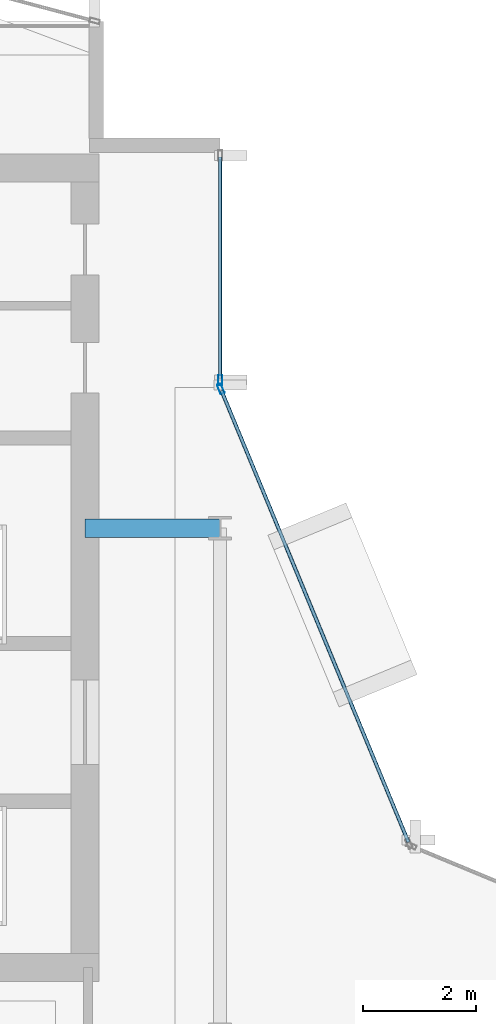
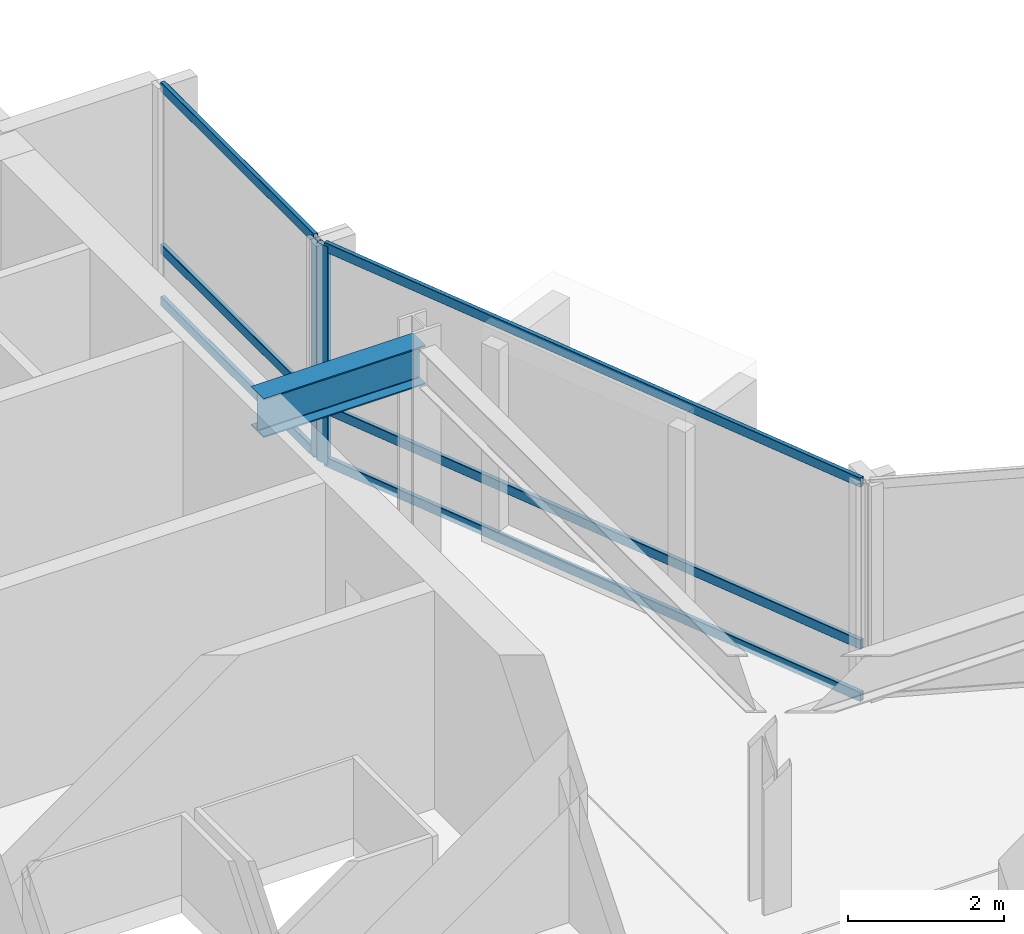
# One storey, part 17 of 27: 8 members, 1 beam, 2 elements without a shape of their own.
"""IFC4 building model written with IfcOpenShell, lengths in metres."""

from ifc_helpers import new_model, si_unit, direction, frame, origin, origin_2d, place, context, subcontext, project, spatial, hollow_rectangle, i_section, extrude, material, layer, layer_set, material_profile, profile_set, type_object, element, aggregate, save


model = new_model("IFC4")

# Units and contexts
model_context = context("Model", 3, precision=1e-05, world=origin(), true_north=direction((0.0, 1.0)))
body_context = subcontext(model_context, "Body", "Model", "MODEL_VIEW")
ifc_project = project(units=[si_unit("LENGTHUNIT", "METRE"), si_unit("AREAUNIT", "SQUARE_METRE"), si_unit("VOLUMEUNIT", "CUBIC_METRE"), si_unit("PLANEANGLEUNIT", "RADIAN"), si_unit("MASSUNIT", "GRAM", prefix="KILO")], contexts=[model_context])

# Site, building, storey
site_placement = place(None, origin())
site = spatial("IfcSite", under=ifc_project, at=site_placement, CompositionType="ELEMENT")
building_placement = place(site_placement, origin())
building = spatial("IfcBuilding", under=site, at=building_placement, Name="Solvaryn Broadcast Tower", CompositionType="ELEMENT")
storey_placement = place(building_placement, frame((0.0, 0.0, 189.0)))
storey = spatial("IfcBuildingStorey", under=building, at=storey_placement, Name="L47", CompositionType="ELEMENT", Elevation=189.0)

# Beam
ifc_material_1 = material(Name="Steel ASTM A992 Grade 50", Category="steel")
ifc_material_profile_1 = material_profile(ifc_material_1, i_section(OverallWidth=0.323974609375, OverallDepth=0.611083984375, WebThickness=0.0126953125, FlangeThickness=0.01904296875, FilletRadius=0.014892578125, at=origin_2d()))
ifc_profile_set_1 = profile_set([ifc_material_profile_1], Name="Steel ASTM A992 Grade 50")
beam_type = type_object("IfcBeamType", Name="BM-B1-W24X104", PredefinedType="BEAM", material=ifc_profile_set_1)
beam_placement = place(storey_placement, frame((24.60009765625, 36.0, 3.114501953125), z_axis=(1.0, 0.0, 0.0), x_axis=(0.0, 1.0, 0.0)))
element("IfcBeam", 1, at=beam_placement, inside=storey, type_object=beam_type, Name="L47 Core Tie Beam CTW2", PredefinedType="BEAM", context=body_context, shape_type="SweptSolid", body=[
    extrude(i_section(OverallWidth=0.323974609375, OverallDepth=0.611083984375, WebThickness=0.0126953125, FlangeThickness=0.01904296875, FilletRadius=0.014892578125, at=origin_2d()), origin(), (0.0, 0.0, 1.0), 2.39990234375),
])

# Curtain wall, member
ifc_material_2 = material(Name="Aluminium and Terracotta Unitised Curtain Wall", Category="masonry")
ifc_layer = layer(ifc_material_2, 0.199951171875)
ifc_layer_set = layer_set([ifc_layer], Name="CW-SYS2-LOWMID")
curtain_wall_type = type_object("IfcCurtainWallType", Name="CW-SYS2-LOWMID", PredefinedType="NOTDEFINED", material=ifc_layer_set)
curtain_wall_1_placement = place(storey_placement, origin())
curtain_wall_1 = element("IfcCurtainWall", 2, at=curtain_wall_1_placement, inside=storey, type_object=curtain_wall_type, Name="L47 Curtain Wall IV", PredefinedType="NOTDEFINED")
ifc_material_3 = material(Name="Anodised Aluminium 6063-T6", Category="aluminium")
ifc_material_profile_2 = material_profile(ifc_material_3, hollow_rectangle(XDim=0.074951171875, YDim=0.179931640625, WallThickness=0.00390625, InnerFilletRadius=0.00390625, OuterFilletRadius=0.008056640625, at=origin_2d()))
ifc_profile_set_2 = profile_set([ifc_material_profile_2], Name="Anodised Aluminium 6063-T6")
member_type_1 = type_object("IfcMemberType", Name="CW-MUL-180", PredefinedType="MULLION", material=ifc_profile_set_2)
member_1_placement = place(storey_placement, frame((27.0, 38.6298828125, 0.0), z_axis=(0.0, 0.0, 1.0), x_axis=(1.0, 0.0, 0.0)))
member_1 = element("IfcMember", 3, at=member_1_placement, type_object=member_type_1, Name="CWS2 mullion 2", PredefinedType="MULLION", context=body_context, shape_type="SweptSolid", body=[
    extrude(hollow_rectangle(XDim=0.074951171875, YDim=0.179931640625, WallThickness=0.00390625, InnerFilletRadius=0.00390625, OuterFilletRadius=0.008056640625, at=origin_2d()), origin(), (0.0, 0.0, 1.0), 3.419921875),
])

curtain_wall_2_placement = place(storey_placement, origin())
curtain_wall_2 = element("IfcCurtainWall", 4, at=curtain_wall_2_placement, inside=storey, type_object=curtain_wall_type, Name="L47 Curtain Wall CN2", PredefinedType="NOTDEFINED")
member_2_placement = place(storey_placement, frame((27.011474609375, 38.47216796875, 0.0), z_axis=(0.0, 0.0, 1.0), x_axis=(-0.923894983957, -0.382646127145, 0.0)))
member_2 = element("IfcMember", 5, at=member_2_placement, type_object=member_type_1, Name="CWS2 mullion 2", PredefinedType="MULLION", context=body_context, shape_type="SweptSolid", body=[
    extrude(hollow_rectangle(XDim=0.074951171875, YDim=0.179931640625, WallThickness=0.00390625, InnerFilletRadius=0.00390625, OuterFilletRadius=0.008056640625, at=origin_2d()), origin(), (0.0, 0.0, 1.0), 3.419921875),
])

# Member
ifc_material_4 = material(Name="Anodised Aluminium 6063-T6", Category="aluminium")
ifc_material_profile_3 = material_profile(ifc_material_4, hollow_rectangle(XDim=0.06494140625, YDim=0.14990234375, WallThickness=0.00390625, InnerFilletRadius=0.00390625, OuterFilletRadius=0.008056640625, at=origin_2d()))
ifc_profile_set_3 = profile_set([ifc_material_profile_3], Name="Anodised Aluminium 6063-T6")
member_type_2 = type_object("IfcMemberType", Name="CW-TRN-150", PredefinedType="USERDEFINED", material=ifc_profile_set_3)
member_3_placement = place(storey_placement, frame((27.0, 42.590087890625, 0.030029296875), z_axis=(0.0, -1.0, 0.0), x_axis=(1.0, 0.0, 0.0)))
member_3 = element("IfcMember", 6, at=member_3_placement, type_object=member_type_2, Name="CWS2 transom 1.1", ObjectType="TRANSOM", PredefinedType="USERDEFINED", context=body_context, shape_type="SweptSolid", body=[
    extrude(hollow_rectangle(XDim=0.06494140625, YDim=0.14990234375, WallThickness=0.00390625, InnerFilletRadius=0.00390625, OuterFilletRadius=0.008056640625, at=origin_2d()), origin(), (0.0, 0.0, 1.0), 3.93017578125),
])

member_4_placement = place(storey_placement, frame((27.0, 42.590087890625, 0.85009765625), z_axis=(0.0, -1.0, 0.0), x_axis=(1.0, 0.0, 0.0)))
member_4 = element("IfcMember", 7, at=member_4_placement, type_object=member_type_2, Name="CWS2 transom 1.2", ObjectType="TRANSOM", PredefinedType="USERDEFINED", context=body_context, shape_type="SweptSolid", body=[
    extrude(hollow_rectangle(XDim=0.06494140625, YDim=0.14990234375, WallThickness=0.00390625, InnerFilletRadius=0.00390625, OuterFilletRadius=0.008056640625, at=origin_2d()), origin(), (0.0, 0.0, 1.0), 3.93017578125),
])

member_5_placement = place(storey_placement, frame((27.0, 42.590087890625, 3.389892578125), z_axis=(0.0, -1.0, 0.0), x_axis=(1.0, 0.0, 0.0)))
member_5 = element("IfcMember", 8, at=member_5_placement, type_object=member_type_2, Name="CWS2 transom 1.3", ObjectType="TRANSOM", PredefinedType="USERDEFINED", context=body_context, shape_type="SweptSolid", body=[
    extrude(hollow_rectangle(XDim=0.06494140625, YDim=0.14990234375, WallThickness=0.00390625, InnerFilletRadius=0.00390625, OuterFilletRadius=0.008056640625, at=origin_2d()), origin(), (0.0, 0.0, 1.0), 3.93017578125),
])

aggregate(curtain_wall_1, [member_1, member_3, member_4, member_5])

member_6_placement = place(storey_placement, frame((30.344970703125, 30.42333984375, 0.030029296875), z_axis=(-0.382635748975, 0.923899282177, 0.0), x_axis=(-0.923899282177, -0.382635748975, 0.0)))
member_6 = element("IfcMember", 9, at=member_6_placement, type_object=member_type_2, Name="CWS2 transom 1.1", ObjectType="TRANSOM", PredefinedType="USERDEFINED", context=body_context, shape_type="SweptSolid", body=[
    extrude(hollow_rectangle(XDim=0.06494140625, YDim=0.14990234375, WallThickness=0.00390625, InnerFilletRadius=0.00390625, OuterFilletRadius=0.008056640625, at=origin_2d()), origin(), (0.0, 0.0, 1.0), 8.681884765625),
])

member_7_placement = place(storey_placement, frame((30.344970703125, 30.42333984375, 0.85009765625), z_axis=(-0.382635748975, 0.923899282177, 0.0), x_axis=(-0.923899282177, -0.382635748975, 0.0)))
member_7 = element("IfcMember", 10, at=member_7_placement, type_object=member_type_2, Name="CWS2 transom 1.2", ObjectType="TRANSOM", PredefinedType="USERDEFINED", context=body_context, shape_type="SweptSolid", body=[
    extrude(hollow_rectangle(XDim=0.06494140625, YDim=0.14990234375, WallThickness=0.00390625, InnerFilletRadius=0.00390625, OuterFilletRadius=0.008056640625, at=origin_2d()), origin(), (0.0, 0.0, 1.0), 8.681884765625),
])

member_8_placement = place(storey_placement, frame((30.344970703125, 30.42333984375, 3.389892578125), z_axis=(-0.382635748975, 0.923899282177, 0.0), x_axis=(-0.923899282177, -0.382635748975, 0.0)))
member_8 = element("IfcMember", 11, at=member_8_placement, type_object=member_type_2, Name="CWS2 transom 1.3", ObjectType="TRANSOM", PredefinedType="USERDEFINED", context=body_context, shape_type="SweptSolid", body=[
    extrude(hollow_rectangle(XDim=0.06494140625, YDim=0.14990234375, WallThickness=0.00390625, InnerFilletRadius=0.00390625, OuterFilletRadius=0.008056640625, at=origin_2d()), origin(), (0.0, 0.0, 1.0), 8.681884765625),
])

aggregate(curtain_wall_2, [member_2, member_6, member_7, member_8])

save(model, "model.ifc")
